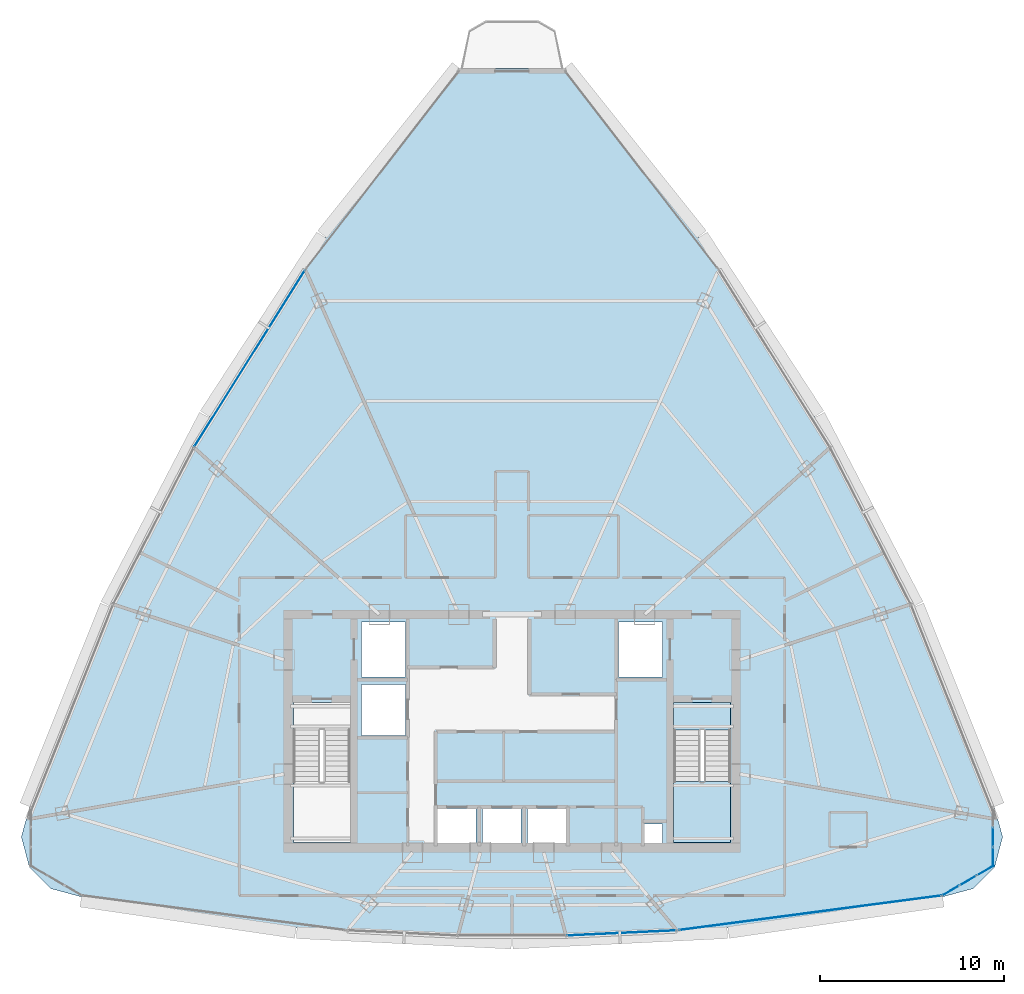
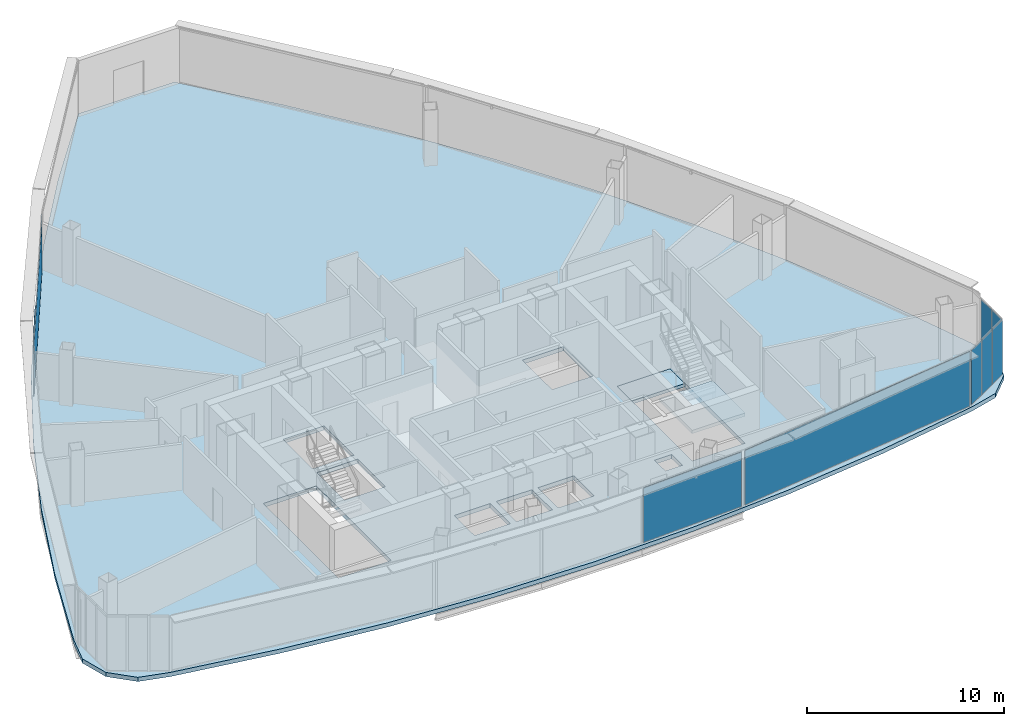
# One storey, part 22 of 29: 8 plates, 3 slabs, 6 elements without a shape of their own.
"""IFC4 building model written with IfcOpenShell, lengths in metres."""

from ifc_helpers import new_model, si_unit, direction, frame, origin, origin_2d, place, context, subcontext, project, spatial, polyline, rectangle, outline, extrude, source, transform, mapped, material, layer, layer_set, type_object, element, aggregate, save


model = new_model("IFC4")

# Units and contexts
model_context = context("Model", 3, precision=1e-05, world=origin(), true_north=direction((0.0, 1.0)))
body_context = subcontext(model_context, "Body", "Model", "MODEL_VIEW")
ifc_project = project(units=[si_unit("LENGTHUNIT", "METRE"), si_unit("AREAUNIT", "SQUARE_METRE"), si_unit("VOLUMEUNIT", "CUBIC_METRE"), si_unit("PLANEANGLEUNIT", "RADIAN"), si_unit("MASSUNIT", "GRAM", prefix="KILO"), si_unit("THERMODYNAMICTEMPERATUREUNIT", "KELVIN"), si_unit("POWERUNIT", "WATT")], contexts=[model_context])

# Site, building, storey
site_placement = place(None, origin())
site = spatial("IfcSite", under=ifc_project, at=site_placement, CompositionType="ELEMENT")
building_placement = place(site_placement, origin())
building = spatial("IfcBuilding", under=site, at=building_placement, Name="Yunzhuo Pagoda Commons", CompositionType="ELEMENT")
storey_placement = place(building_placement, frame((0.0, 0.0, 363.010009765625)))
storey = spatial("IfcBuildingStorey", under=building, at=storey_placement, Name="L91", CompositionType="ELEMENT", Elevation=363.010009765625)

# Stair, slabs
ifc_material_1 = material(Name="Concrete C40", Category="concrete")
stair_type = type_object("IfcStairType", Name="ST-C2 Core Smokeproof Stair ST2", PredefinedType="HALF_TURN_STAIR", material=ifc_material_1)
stair_placement = place(storey_placement, origin())
stair = element("IfcStair", 1, at=stair_placement, inside=storey, type_object=stair_type, Name="L91 Core smokeproof stair ST2", PredefinedType="HALF_TURN_STAIR")
ifc_layer_1 = layer(ifc_material_1, 0.201904296875)
ifc_layer_set_1 = layer_set([ifc_layer_1], Name="Concrete C40")
slab_type_1 = type_object("IfcSlabType", Name="SL-LND2 Stair Landing Slab 202", PredefinedType="LANDING", material=ifc_layer_set_1)
slab_1_placement = place(storey_placement, frame((0.0, 0.0, 1.675048828125)))
slab_1 = element("IfcSlab", 2, at=slab_1_placement, type_object=slab_type_1, Name="ST2 landing 1", PredefinedType="LANDING", context=body_context, shape_type="SweptSolid", body=[
    extrude(outline(polyline([(56.800048828125, 31.10009765625), (56.800048828125, 27.800048828125), (59.89990234375, 27.800048828125), (59.89990234375, 31.10009765625), (56.800048828125, 31.10009765625)])), origin(), (0.0, 0.0, 1.0), 0.199951171875),
])
slab_2_placement = place(storey_placement, frame((0.0, 0.0, -0.199951171875)))
slab_2 = element("IfcSlab", 3, at=slab_2_placement, type_object=slab_type_1, Name="ST2 floor landing L91", PredefinedType="LANDING", context=body_context, shape_type="SweptSolid", body=[
    extrude(outline(polyline([(56.800048828125, 35.39990234375), (56.800048828125, 33.89990234375), (59.89990234375, 33.89990234375), (59.89990234375, 35.39990234375), (56.800048828125, 35.39990234375)])), origin(), (0.0, 0.0, 1.0), 0.199951171875),
])
aggregate(stair, [slab_1, slab_2])

# Slab
ifc_layer_2 = layer(ifc_material_1, 0.260009765625)
ifc_layer_set_2 = layer_set([ifc_layer_2], Name="Concrete C40")
slab_type_2 = type_object("IfcSlabType", Name="SL-TWR Typical Tower Floor Slab 260", PredefinedType="FLOOR", material=ifc_layer_set_2)
slab_3_placement = place(storey_placement, frame((0.0, 0.0, -0.260009765625)))
element("IfcSlab", 4, at=slab_3_placement, inside=storey, type_object=slab_type_2, Name="L91 structural floor slab", PredefinedType="FLOOR", context=body_context, shape_type="SweptSolid", body=[
    extrude(outline(polyline([(23.808349609375, 35.244873046875), (26.12451171875, 40.628173828125), (28.687255859375, 45.86767578125), (31.49658203125, 50.963134765625), (34.552001953125, 55.914794921875), (37.854248046875, 60.722412109375), (41.40283203125, 65.386474609375), (45.197998046875, 69.906494140625), (50.802001953125, 69.906494140625), (54.59716796875, 65.386474609375), (58.145751953125, 60.722412109375), (61.447998046875, 55.914794921875), (64.50341796875, 50.963134765625), (67.312744140625, 45.86767578125), (69.87548828125, 40.628173828125), (72.191650390625, 35.244873046875), (74.261474609375, 29.7177734375), (74.7041015625, 28.09375), (74.273193359375, 26.466552734375), (73.085205078125, 25.2744140625), (71.45947265625, 24.837646484375), (65.594482421875, 23.8388671875), (59.729736328125, 23.125244140625), (53.864990234375, 22.697265625), (48.0, 22.554443359375), (42.135009765625, 22.697265625), (36.270263671875, 23.125244140625), (30.405517578125, 23.8388671875), (24.54052734375, 24.837646484375), (22.914794921875, 25.2744140625), (21.726806640625, 26.466552734375), (21.2958984375, 28.09375), (21.738525390625, 29.7177734375), (23.808349609375, 35.244873046875)]), holes=[polyline([(56.179931640625, 28.800048828125), (55.179931640625, 28.800048828125), (55.179931640625, 27.699951171875), (56.179931640625, 27.699951171875), (56.179931640625, 28.800048828125)]), polyline([(46.050048828125, 29.64990234375), (43.949951171875, 29.64990234375), (43.949951171875, 27.60009765625), (46.050048828125, 27.60009765625), (46.050048828125, 29.64990234375)]), polyline([(48.5, 29.64990234375), (46.39990234375, 29.64990234375), (46.39990234375, 27.60009765625), (48.5, 27.60009765625), (48.5, 29.64990234375)]), polyline([(50.949951171875, 29.64990234375), (48.85009765625, 29.64990234375), (48.85009765625, 27.60009765625), (50.949951171875, 27.60009765625), (50.949951171875, 29.64990234375)]), polyline([(39.199951171875, 27.800048828125), (39.199951171875, 35.39990234375), (36.10009765625, 35.39990234375), (36.10009765625, 27.800048828125), (39.199951171875, 27.800048828125)]), polyline([(59.89990234375, 27.800048828125), (59.89990234375, 35.39990234375), (56.800048828125, 35.39990234375), (56.800048828125, 27.800048828125), (59.89990234375, 27.800048828125)]), polyline([(42.199951171875, 36.39990234375), (39.800048828125, 36.39990234375), (39.800048828125, 33.60009765625), (42.199951171875, 33.60009765625), (42.199951171875, 36.39990234375)]), polyline([(42.199951171875, 36.800048828125), (42.199951171875, 39.800048828125), (39.800048828125, 39.800048828125), (39.800048828125, 36.800048828125), (42.199951171875, 36.800048828125)]), polyline([(56.199951171875, 36.800048828125), (56.199951171875, 39.800048828125), (53.800048828125, 39.800048828125), (53.800048828125, 36.800048828125), (56.199951171875, 36.800048828125)])]), origin(), (0.0, 0.0, 1.0), 0.260009765625),
])

# Curtain wall, plate
ifc_material_2 = material(Name="Anodized aluminium 6063-T6", Category="aluminium")
ifc_layer_3 = layer(ifc_material_2, 0.139892578125)
ifc_layer_set_3 = layer_set([ifc_layer_3], Name="Anodized aluminium 6063-T6")
curtain_wall_type_1 = type_object("IfcCurtainWallType", Name="CW-HI High-Zone Ribbon Curtain Wall", PredefinedType="NOTDEFINED", material=ifc_layer_set_3)
curtain_wall_1_placement = place(storey_placement, origin())
curtain_wall_1 = element("IfcCurtainWall", 5, at=curtain_wall_1_placement, inside=storey, type_object=curtain_wall_type_1, Name="L91 curtain wall CW-L91-F1B4", PredefinedType="NOTDEFINED")
ifc_material_3 = material(Name="Tempered low-e double glazing", Category="glass")
ifc_layer_4 = layer(ifc_material_3, 0.02587890625)
ifc_layer_set_4 = layer_set([ifc_layer_4], Name="Tempered low-e double glazing")
plate_type_1 = type_object("IfcPlateType", Name="CW-HI-P Low-E Double Glazing 26", PredefinedType="CURTAIN_PANEL", material=ifc_layer_set_4)
shared_shape_1 = source(origin(), body_context, "Body", "SweptSolid", [
    extrude(rectangle(XDim=5.919189453125, YDim=0.028076171875, at=origin_2d()), origin(), (0.0, 0.0, 1.0), 3.360107421875),
])
plate_1_placement = place(storey_placement, frame((53.95751953125, 22.8642578125, 0.05517578125), z_axis=(0.0, 0.0, 1.0), x_axis=(0.998908420017, 0.046711544825, 0.0)))
plate_1 = element("IfcPlate", 6, at=plate_1_placement, type_object=plate_type_1, Name="CW panel 1.1", PredefinedType="CURTAIN_PANEL", context=body_context, shape_type="MappedRepresentation", body=[
    mapped(shared_shape_1, transform((0.0, 0.0, 0.0), scale=1.0)),
])
aggregate(curtain_wall_1, [plate_1])

curtain_wall_2_placement = place(storey_placement, origin())
curtain_wall_2 = element("IfcCurtainWall", 7, at=curtain_wall_2_placement, inside=storey, type_object=curtain_wall_type_1, Name="L91 curtain wall CW-L91-F1B5", PredefinedType="NOTDEFINED")
shared_shape_2 = source(origin(), body_context, "Body", "SweptSolid", [
    extrude(rectangle(XDim=14.375244140625, YDim=0.028076171875, at=origin_2d()), origin(), (0.0, 0.0, 1.0), 3.360107421875),
])
plate_2_placement = place(storey_placement, frame((64.23388671875, 23.9609375, 0.05517578125), z_axis=(0.0, 0.0, 1.0), x_axis=(0.991447578534, 0.130505551679, 0.0)))
plate_2 = element("IfcPlate", 8, at=plate_2_placement, type_object=plate_type_1, Name="CW panel 1.1", PredefinedType="CURTAIN_PANEL", context=body_context, shape_type="MappedRepresentation", body=[
    mapped(shared_shape_2, transform((0.0, 0.0, 0.0), scale=1.0)),
])
aggregate(curtain_wall_2, [plate_2])

curtain_wall_3_placement = place(storey_placement, origin())
curtain_wall_3 = element("IfcCurtainWall", 9, at=curtain_wall_3_placement, inside=storey, type_object=curtain_wall_type_1, Name="L91 curtain wall CW-L91-F3B2", PredefinedType="NOTDEFINED")
shared_shape_3 = source(origin(), body_context, "Body", "SweptSolid", [
    extrude(rectangle(XDim=11.299560546875, YDim=0.028076171875, at=origin_2d()), origin(), (0.0, 0.0, 1.0), 3.360107421875),
])
plate_3_placement = place(storey_placement, frame((33.71826171875, 54.1279296875, 0.05517578125), z_axis=(0.0, 0.0, 1.0), x_axis=(-0.531157896135, -0.847272854146, 0.0)))
plate_3 = element("IfcPlate", 10, at=plate_3_placement, type_object=plate_type_1, Name="CW panel 1.1", PredefinedType="CURTAIN_PANEL", context=body_context, shape_type="MappedRepresentation", body=[
    mapped(shared_shape_3, transform((0.0, 0.0, 0.0), scale=1.0)),
])
aggregate(curtain_wall_3, [plate_3])

# Curtain wall, plates
ifc_layer_5 = layer(ifc_material_2, 0.1298828125)
ifc_layer_set_5 = layer_set([ifc_layer_5], Name="Anodized aluminium 6063-T6")
curtain_wall_type_2 = type_object("IfcCurtainWallType", Name="CW-VTX Rounded Corner Curtain Wall", PredefinedType="NOTDEFINED", material=ifc_layer_set_5)
curtain_wall_4_placement = place(storey_placement, origin())
curtain_wall_4 = element("IfcCurtainWall", 11, at=curtain_wall_4_placement, inside=storey, type_object=curtain_wall_type_2, Name="L91 curtain wall CW-L91-VTX2S1", PredefinedType="NOTDEFINED")
ifc_layer_6 = layer(ifc_material_3, 0.02587890625)
ifc_layer_set_6 = layer_set([ifc_layer_6], Name="Tempered low-e double glazing")
plate_type_2 = type_object("IfcPlateType", Name="CW-VTX-P Low-E Double Glazing 26", PredefinedType="CURTAIN_PANEL", material=ifc_layer_set_6)
shared_shape_4 = source(origin(), body_context, "Body", "SweptSolid", [
    extrude(rectangle(XDim=1.001220703125, YDim=0.028076171875, at=origin_2d()), origin(), (0.0, 0.0, 1.0), 3.360107421875),
])
plate_4_placement = place(storey_placement, frame((71.900146484375, 25.185302734375, 0.05517578125), z_axis=(0.0, 0.0, 1.0), x_axis=(0.865437516394, 0.501016871191, 0.0)))
plate_4 = element("IfcPlate", 12, at=plate_4_placement, type_object=plate_type_2, Name="CW panel 1.1", PredefinedType="CURTAIN_PANEL", context=body_context, shape_type="MappedRepresentation", body=[
    mapped(shared_shape_4, transform((0.0, 0.0, 0.0), scale=1.0)),
])
plate_5_placement = place(storey_placement, frame((73.752197265625, 26.25732421875, 0.05517578125), z_axis=(0.0, 0.0, 1.0), x_axis=(0.865437516394, 0.501016871191, 0.0)))
plate_5 = element("IfcPlate", 13, at=plate_5_placement, type_object=plate_type_2, Name="CW panel 3.1", PredefinedType="CURTAIN_PANEL", context=body_context, shape_type="MappedRepresentation", body=[
    mapped(shared_shape_4, transform((0.0, 0.0, 0.0), scale=1.0)),
])

# Curtain wall, plate
curtain_wall_5_placement = place(storey_placement, origin())
curtain_wall_5 = element("IfcCurtainWall", 14, at=curtain_wall_5_placement, inside=storey, type_object=curtain_wall_type_2, Name="L91 curtain wall CW-L91-VTX2S2", PredefinedType="NOTDEFINED")
plate_6_placement = place(storey_placement, frame((74.191162109375, 27.02197265625, 0.05517578125), z_axis=(0.0, 0.0, 1.0), x_axis=(-0.003598647958, 0.999993524845, 0.0)))
plate_6 = element("IfcPlate", 15, at=plate_6_placement, type_object=plate_type_2, Name="CW panel 1.1", PredefinedType="CURTAIN_PANEL", context=body_context, shape_type="MappedRepresentation", body=[
    mapped(shared_shape_4, transform((0.0, 0.0, 0.0), scale=1.0)),
])

# Plate
shared_shape_5 = source(origin(), body_context, "Body", "SweptSolid", [
    extrude(rectangle(XDim=1.02880859375, YDim=0.028076171875, at=origin_2d()), origin(), (0.0, 0.0, 1.0), 3.360107421875),
])
plate_7_placement = place(storey_placement, frame((72.826171875, 25.721435546875, 0.05517578125), z_axis=(0.0, 0.0, 1.0), x_axis=(0.865437516394, 0.501016871191, 0.0)))
plate_7 = element("IfcPlate", 16, at=plate_7_placement, type_object=plate_type_2, Name="CW panel 2.1", PredefinedType="CURTAIN_PANEL", context=body_context, shape_type="MappedRepresentation", body=[
    mapped(shared_shape_5, transform((0.0, 0.0, 0.0), scale=1.0)),
])

aggregate(curtain_wall_4, [plate_4, plate_7, plate_5])

plate_8_placement = place(storey_placement, frame((74.187255859375, 28.091796875, 0.05517578125), z_axis=(0.0, 0.0, 1.0), x_axis=(-0.003598647958, 0.999993524845, 0.0)))
plate_8 = element("IfcPlate", 17, at=plate_8_placement, type_object=plate_type_2, Name="CW panel 2.1", PredefinedType="CURTAIN_PANEL", context=body_context, shape_type="MappedRepresentation", body=[
    mapped(shared_shape_5, transform((0.0, 0.0, 0.0), scale=1.0)),
])

aggregate(curtain_wall_5, [plate_6, plate_8])

save(model, "model.ifc")
